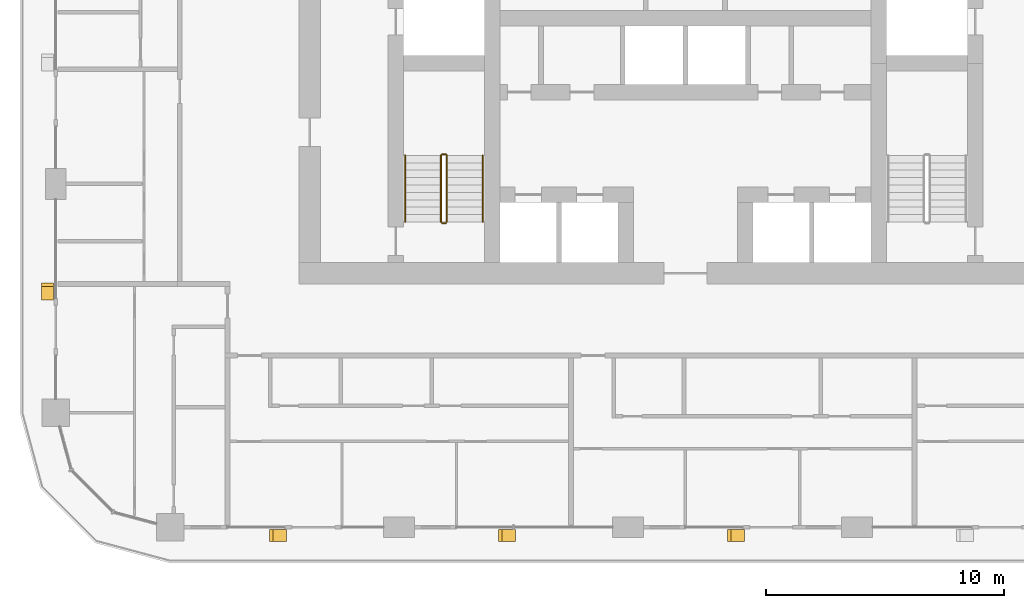
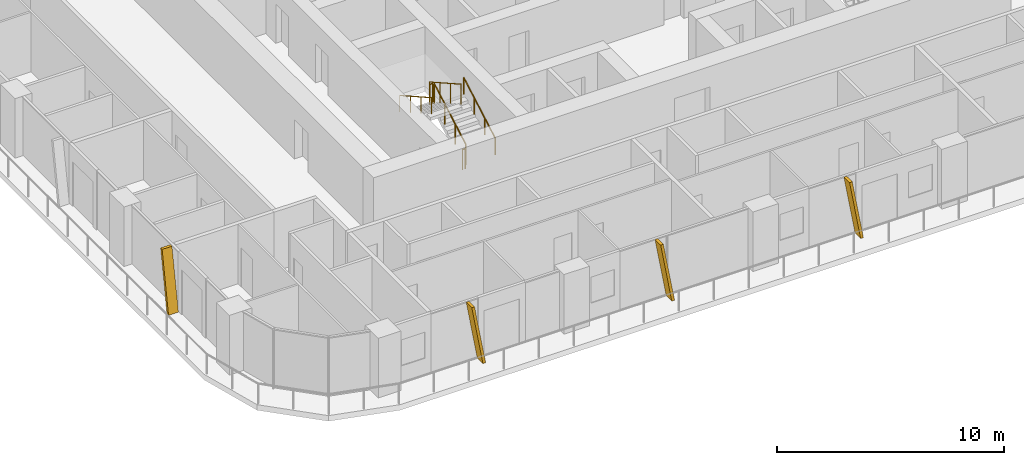
# One storey, part 17 of 22: 6 railings, 4 shading devices.
"""IFC4 building model written with IfcOpenShell, lengths in metres."""

from ifc_helpers import new_model, si_unit, direction, frame, origin, origin_2d, place, context, subcontext, project, spatial, polyline, circle, outline, extrude, material, type_object, element, save


model = new_model("IFC4")

# Units and contexts
model_context = context("Model", 3, precision=1e-05, world=origin(), true_north=direction((0.0, 1.0)))
body_context = subcontext(model_context, "Body", "Model", "MODEL_VIEW")
ifc_project = project(units=[si_unit("LENGTHUNIT", "METRE"), si_unit("AREAUNIT", "SQUARE_METRE"), si_unit("VOLUMEUNIT", "CUBIC_METRE"), si_unit("PLANEANGLEUNIT", "RADIAN"), si_unit("MASSUNIT", "GRAM", prefix="KILO")], contexts=[model_context])

# Site, building, storey
site_placement = place(None, origin())
site = spatial("IfcSite", under=ifc_project, at=site_placement, CompositionType="ELEMENT")
building_placement = place(site_placement, origin())
building = spatial("IfcBuilding", under=site, at=building_placement, Name="Madar Terraces", CompositionType="ELEMENT")
storey_placement = place(building_placement, frame((0.0, 0.0, 99.699951171875)))
storey = spatial("IfcBuildingStorey", under=building, at=storey_placement, Name="L25", CompositionType="ELEMENT", Elevation=99.699951171875)

# Shading devices
ifc_material_1 = material(Name="Aluminium, black anodised", Category="aluminium")
shading_device_type = type_object("IfcShadingDeviceType", Name="Facade fin blade 140 x 500", PredefinedType="USERDEFINED", material=ifc_material_1)
shading_device_1_placement = place(storey_placement, frame((14.330078125, 4.449951171875, 0.0), z_axis=(0.0, 0.0, 1.0), x_axis=(1.0, 0.0, 0.0)))
element("IfcShadingDevice", 1, at=shading_device_1_placement, inside=storey, type_object=shading_device_type, Name="FIN L25 S1", ObjectType="FIN", PredefinedType="USERDEFINED", context=body_context, shape_type="SweptSolid", body=[
    extrude(outline(polyline([(0.0, 0.0), (0.139892578125, 0.0), (-0.42431640625, 3.199951171875), (-0.564208984375, 3.199951171875), (0.0, 0.0)])), frame((0.0, 0.25, 0.0), z_axis=(0.0, -1.0, 0.0), x_axis=(1.0, 0.0, 0.0)), (0.0, 0.0, 1.0), 0.5),
])
shading_device_2_placement = place(storey_placement, frame((23.929931640625, 4.449951171875, 0.0), z_axis=(0.0, 0.0, 1.0), x_axis=(1.0, 0.0, 0.0)))
element("IfcShadingDevice", 2, at=shading_device_2_placement, inside=storey, type_object=shading_device_type, Name="FIN L25 S2", ObjectType="FIN", PredefinedType="USERDEFINED", context=body_context, shape_type="SweptSolid", body=[
    extrude(outline(polyline([(0.0, 0.0), (0.14013671875, 0.0), (-0.42431640625, 3.199951171875), (-0.564208984375, 3.199951171875), (0.0, 0.0)])), frame((0.0, 0.25, 0.0), z_axis=(0.0, -1.0, 0.0), x_axis=(1.0, 0.0, 0.0)), (0.0, 0.0, 1.0), 0.5),
])
for number, where, z_axis, x_axis, name in (
    (3, (33.530029296875, 4.449951171875, 0.0), (0.0, 0.0, 1.0), (1.0, 0.0, 0.0), "FIN L25 S3"),
    (4, (4.449951171875, 14.469970703125, 0.0), (0.0, 0.0, 1.0), (0.0, -1.0, 0.0), "FIN L25 W4"),
):
    element("IfcShadingDevice", number, at=place(storey_placement, frame(where, z_axis=z_axis, x_axis=x_axis)), inside=storey, type_object=shading_device_type, Name=name, ObjectType="FIN", PredefinedType="USERDEFINED", context=body_context, shape_type="SweptSolid", body=[
        extrude(outline(polyline([(0.0, 0.0), (0.139892578125, 0.0), (-0.42431640625, 3.199951171875), (-0.564208984375, 3.199951171875), (0.0, 0.0)])), frame((0.0, 0.25, 0.0), z_axis=(0.0, -1.0, 0.0), x_axis=(1.0, 0.0, 0.0)), (0.0, 0.0, 1.0), 0.5),
    ])

# Railings
ifc_material_2 = material(Name="Stainless steel railing", Category="steel")
railing_type_1 = type_object("IfcRailingType", Name="Stair guard 1100", PredefinedType="GUARDRAIL", material=ifc_material_2)
railing_1_placement = place(storey_placement, frame((21.199951171875, 17.60009765625, 0.175048828125)))
element("IfcRailing", 5, at=railing_1_placement, inside=storey, type_object=railing_type_1, Name="L25 ST1 stair guard 1", PredefinedType="GUARDRAIL", context=body_context, shape_type="SweptSolid", body=[
    extrude(circle(Radius=0.02392578125, at=origin_2d()), frame((0.0, 0.0, 1.076171875), z_axis=(0.0, 0.870815363784, 0.491610213684), x_axis=(-1.0, 0.0, 0.0)), (0.0, 0.0, 1.0), 3.20361328125),
    extrude(circle(Radius=0.02099609375, at=origin_2d()), origin(), (0.0, 0.0, 1.0), 1.052001953125),
    extrude(circle(Radius=0.02099609375, at=origin_2d()), frame((0.0, 0.929931640625, 0.52490234375)), (0.0, 0.0, 1.0), 1.052001953125),
    extrude(circle(Radius=0.02099609375, at=origin_2d()), frame((0.0, 1.85986328125, 1.050048828125)), (0.0, 0.0, 1.0), 1.052001953125),
    extrude(circle(Radius=0.02099609375, at=origin_2d()), frame((0.0, 2.789794921875, 1.574951171875)), (0.0, 0.0, 1.0), 1.052001953125),
])
railing_2_placement = place(storey_placement, frame((21.14990234375, 20.43994140625, 1.75)))
element("IfcRailing", 6, at=railing_2_placement, inside=storey, type_object=railing_type_1, Name="L25 ST1 stair guard 2", PredefinedType="GUARDRAIL", context=body_context, shape_type="SweptSolid", body=[
    extrude(circle(Radius=0.02392578125, at=origin_2d()), frame((0.0, 0.0, 1.076171875), z_axis=(-1.0, 0.0, 0.0), x_axis=(0.0, -1.0, 0.0)), (0.0, 0.0, 1.0), 0.14990234375),
    extrude(circle(Radius=0.02099609375, at=origin_2d()), origin(), (0.0, 0.0, 1.0), 1.052001953125),
    extrude(circle(Radius=0.02099609375, at=origin_2d()), frame((-0.14990234375, 0.0, 0.0)), (0.0, 0.0, 1.0), 1.052001953125),
])
railing_3_placement = place(storey_placement, frame((20.949951171875, 20.389892578125, 1.925048828125)))
element("IfcRailing", 7, at=railing_3_placement, inside=storey, type_object=railing_type_1, Name="L25 ST1 stair guard 3", PredefinedType="GUARDRAIL", context=body_context, shape_type="SweptSolid", body=[
    extrude(circle(Radius=0.02392578125, at=origin_2d()), frame((0.0, 0.0, 1.076171875), z_axis=(0.0, -0.870815363784, 0.491610213684), x_axis=(1.0, 0.0, 0.0)), (0.0, 0.0, 1.0), 3.20361328125),
    extrude(circle(Radius=0.02099609375, at=origin_2d()), origin(), (0.0, 0.0, 1.0), 1.052001953125),
    extrude(circle(Radius=0.02099609375, at=origin_2d()), frame((0.0, -0.929931640625, 0.52490234375)), (0.0, 0.0, 1.0), 1.052001953125),
    extrude(circle(Radius=0.02099609375, at=origin_2d()), frame((0.0, -1.85986328125, 1.050048828125)), (0.0, 0.0, 1.0), 1.052001953125),
    extrude(circle(Radius=0.02099609375, at=origin_2d()), frame((0.0, -2.789794921875, 1.574951171875)), (0.0, 0.0, 1.0), 1.052001953125),
])
railing_4_placement = place(storey_placement, frame((21.14990234375, 17.550048828125, 0.0)))
element("IfcRailing", 8, at=railing_4_placement, inside=storey, type_object=railing_type_1, Name="L25 ST1 stair guard 4", PredefinedType="GUARDRAIL", context=body_context, shape_type="SweptSolid", body=[
    extrude(circle(Radius=0.02392578125, at=origin_2d()), frame((0.0, 0.0, 1.076171875), z_axis=(-1.0, 0.0, 0.0), x_axis=(0.0, -1.0, 0.0)), (0.0, 0.0, 1.0), 0.14990234375),
    extrude(circle(Radius=0.02099609375, at=origin_2d()), origin(), (0.0, 0.0, 1.0), 1.052001953125),
    extrude(circle(Radius=0.02099609375, at=origin_2d()), frame((-0.14990234375, 0.0, 0.0)), (0.0, 0.0, 1.0), 1.052001953125),
])
ifc_material_3 = material(Name="Stainless steel railing", Category="steel")
railing_type_2 = type_object("IfcRailingType", Name="Stair handrail 900", PredefinedType="HANDRAIL", material=ifc_material_3)
railing_5_placement = place(storey_placement, frame((22.699951171875, 17.60009765625, 0.175048828125)))
element("IfcRailing", 9, at=railing_5_placement, inside=storey, type_object=railing_type_2, Name="L25 ST1 stair handrail 1", PredefinedType="HANDRAIL", context=body_context, shape_type="SweptSolid", body=[
    extrude(circle(Radius=0.02392578125, at=origin_2d()), frame((0.0, 0.0, 0.8759765625), z_axis=(0.0, 0.870815363784, 0.491610213684), x_axis=(-1.0, 0.0, 0.0)), (0.0, 0.0, 1.0), 3.20361328125),
    extrude(circle(Radius=0.02099609375, at=origin_2d()), origin(), (0.0, 0.0, 1.0), 0.851806640625),
    extrude(circle(Radius=0.02099609375, at=origin_2d()), frame((0.0, 0.929931640625, 0.52490234375)), (0.0, 0.0, 1.0), 0.851806640625),
    extrude(circle(Radius=0.02099609375, at=origin_2d()), frame((0.0, 1.85986328125, 1.050048828125)), (0.0, 0.0, 1.0), 0.851806640625),
    extrude(circle(Radius=0.02099609375, at=origin_2d()), frame((0.0, 2.789794921875, 1.574951171875)), (0.0, 0.0, 1.0), 0.851806640625),
])
railing_6_placement = place(storey_placement, frame((19.449951171875, 20.389892578125, 1.925048828125)))
element("IfcRailing", 10, at=railing_6_placement, inside=storey, type_object=railing_type_2, Name="L25 ST1 stair handrail 2", PredefinedType="HANDRAIL", context=body_context, shape_type="SweptSolid", body=[
    extrude(circle(Radius=0.02392578125, at=origin_2d()), frame((0.0, 0.0, 0.8759765625), z_axis=(0.0, -0.870815363784, 0.491610213684), x_axis=(1.0, 0.0, 0.0)), (0.0, 0.0, 1.0), 3.20361328125),
    extrude(circle(Radius=0.02099609375, at=origin_2d()), origin(), (0.0, 0.0, 1.0), 0.851806640625),
    extrude(circle(Radius=0.02099609375, at=origin_2d()), frame((0.0, -0.929931640625, 0.52490234375)), (0.0, 0.0, 1.0), 0.851806640625),
    extrude(circle(Radius=0.02099609375, at=origin_2d()), frame((0.0, -1.85986328125, 1.050048828125)), (0.0, 0.0, 1.0), 0.851806640625),
    extrude(circle(Radius=0.02099609375, at=origin_2d()), frame((0.0, -2.789794921875, 1.574951171875)), (0.0, 0.0, 1.0), 0.851806640625),
])

save(model, "model.ifc")
